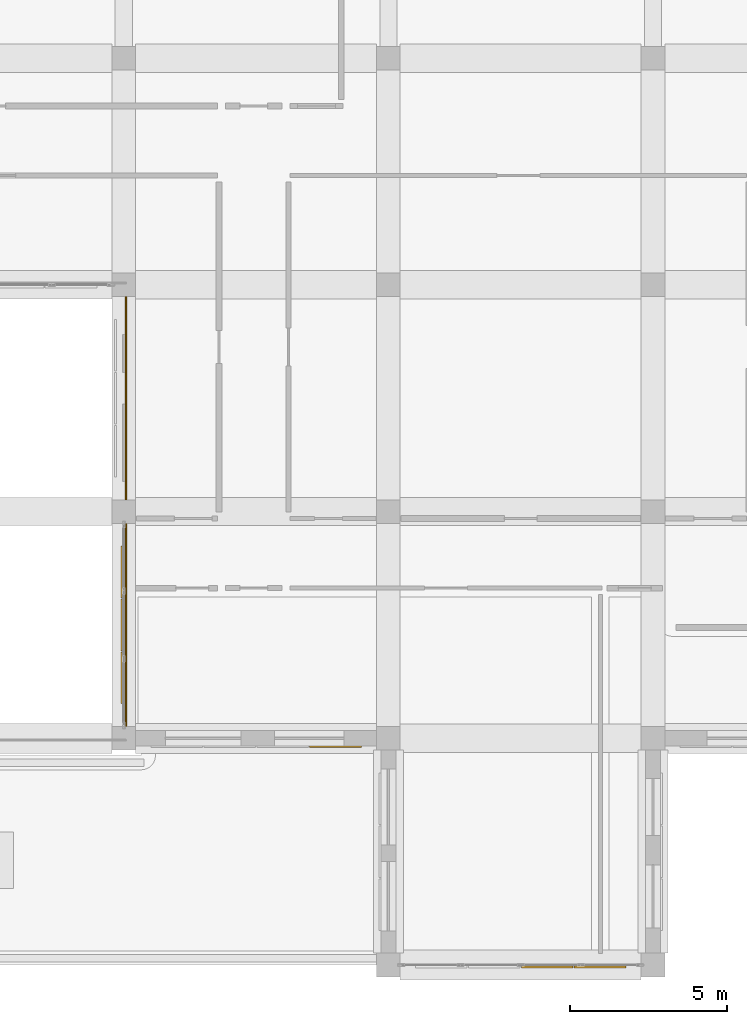
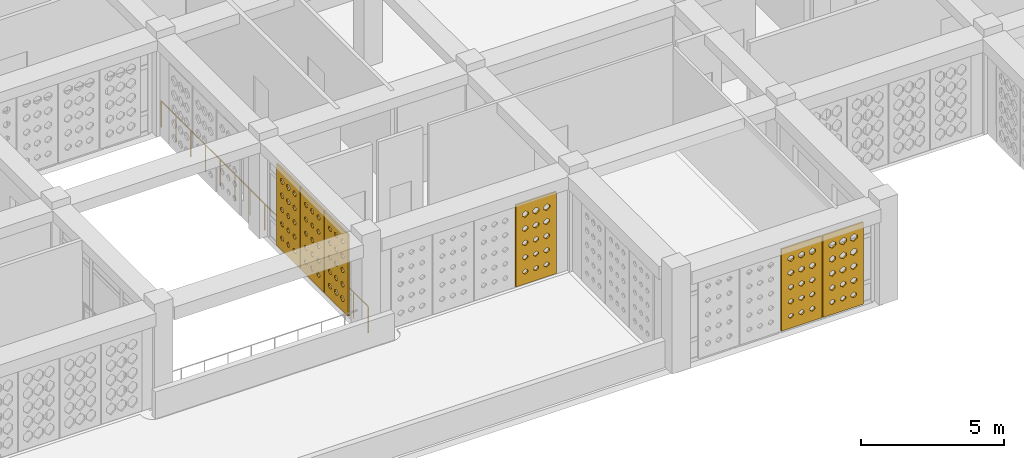
# One storey, part 83 of 111: 6 coverings, 1 railing.
"""IFC4 building model written with IfcOpenShell, lengths in metres."""

from ifc_helpers import new_model, si_unit, derived_unit, direction, frame, origin, origin_2d, place, context, subcontext, project, spatial, polyline, circle, outline, extrude, material, layer, layer_set, type_object, element, save


model = new_model("IFC4")

# Units and contexts
model_context = context("Model", 3, precision=1e-05, world=origin(), true_north=direction((0.0, 1.0)))
body_context = subcontext(model_context, "Body", "Model", "MODEL_VIEW")
ifc_project = project(units=[si_unit("LENGTHUNIT", "METRE"), si_unit("AREAUNIT", "SQUARE_METRE"), si_unit("VOLUMEUNIT", "CUBIC_METRE"), si_unit("PLANEANGLEUNIT", "RADIAN"), si_unit("MASSUNIT", "GRAM", prefix="KILO"), derived_unit("THERMALTRANSMITTANCEUNIT", [(si_unit("POWERUNIT", "WATT"), 1), (si_unit("LENGTHUNIT", "METRE"), -2), (si_unit("THERMODYNAMICTEMPERATUREUNIT", "KELVIN"), -1)])], contexts=[model_context])

# Site, building, storey
site_placement = place(None, origin())
site = spatial("IfcSite", under=ifc_project, at=site_placement, CompositionType="ELEMENT")
building_placement = place(site_placement, origin())
building = spatial("IfcBuilding", under=site, at=building_placement, Name="Veybourne Emporium", CompositionType="ELEMENT")
storey_placement = place(building_placement, frame((0.0, 0.0, 9.89990234375)))
storey = spatial("IfcBuildingStorey", under=building, at=storey_placement, Name="L02", CompositionType="ELEMENT", Elevation=9.89990234375)

# Railing
ifc_material_1 = material(Name="Patinated Architectural Bronze", Category="bronze")
railing_type = type_object("IfcRailingType", Name="Balustrade_BL-01", PredefinedType="BALUSTRADE", material=ifc_material_1)
railing_placement = place(storey_placement, frame((67.260009765625, 7.139892578125, 0.0)))
element("IfcRailing", 1, at=railing_placement, inside=storey, type_object=railing_type, Name="L02 shopping arcade gallery balustrade 2", PredefinedType="BALUSTRADE", context=body_context, shape_type="SweptSolid", body=[
    extrude(circle(Radius=0.02392578125, at=origin_2d()), frame((0.0, 0.0, 1.1259765625), z_axis=(0.0, 1.0, 0.0), x_axis=(-1.0, 0.0, 0.0)), (0.0, 0.0, 1.0), 14.52001953125),
    extrude(circle(Radius=0.02099609375, at=origin_2d()), origin(), (0.0, 0.0, 1.0), 1.101806640625),
    extrude(circle(Radius=0.02099609375, at=origin_2d()), frame((0.0, 1.037109375, 0.0)), (0.0, 0.0, 1.0), 1.101806640625),
    extrude(circle(Radius=0.02099609375, at=origin_2d()), frame((0.0, 2.07421875, 0.0)), (0.0, 0.0, 1.0), 1.101806640625),
    extrude(circle(Radius=0.02099609375, at=origin_2d()), frame((0.0, 3.111328125, 0.0)), (0.0, 0.0, 1.0), 1.101806640625),
    extrude(circle(Radius=0.02099609375, at=origin_2d()), frame((0.0, 4.148681640625, 0.0)), (0.0, 0.0, 1.0), 1.101806640625),
    extrude(circle(Radius=0.02099609375, at=origin_2d()), frame((0.0, 5.185791015625, 0.0)), (0.0, 0.0, 1.0), 1.101806640625),
    extrude(circle(Radius=0.02099609375, at=origin_2d()), frame((0.0, 6.222900390625, 0.0)), (0.0, 0.0, 1.0), 1.101806640625),
    extrude(circle(Radius=0.02099609375, at=origin_2d()), frame((0.0, 7.260009765625, 0.0)), (0.0, 0.0, 1.0), 1.101806640625),
    extrude(circle(Radius=0.02099609375, at=origin_2d()), frame((0.0, 8.297119140625, 0.0)), (0.0, 0.0, 1.0), 1.101806640625),
    extrude(circle(Radius=0.02099609375, at=origin_2d()), frame((0.0, 9.334228515625, 0.0)), (0.0, 0.0, 1.0), 1.101806640625),
    extrude(circle(Radius=0.02099609375, at=origin_2d()), frame((0.0, 10.371337890625, 0.0)), (0.0, 0.0, 1.0), 1.101806640625),
    extrude(circle(Radius=0.02099609375, at=origin_2d()), frame((0.0, 11.40869140625, 0.0)), (0.0, 0.0, 1.0), 1.101806640625),
    extrude(circle(Radius=0.02099609375, at=origin_2d()), frame((0.0, 12.44580078125, 0.0)), (0.0, 0.0, 1.0), 1.101806640625),
    extrude(circle(Radius=0.02099609375, at=origin_2d()), frame((0.0, 13.48291015625, 0.0)), (0.0, 0.0, 1.0), 1.101806640625),
    extrude(circle(Radius=0.02099609375, at=origin_2d()), frame((0.0, 14.52001953125, 0.0)), (0.0, 0.0, 1.0), 1.101806640625),
])

# Coverings
ifc_material_2 = material(Name="Warm-White Perforated Aluminium Screen Alloy", Category="aluminium")
ifc_layer_1 = layer(ifc_material_2, 0.06005859375)
ifc_layer_set_1 = layer_set([ifc_layer_1], Name="Warm-White Perforated Aluminium Screen Alloy")
covering_type_1 = type_object("IfcCoveringType", Name="WaveScreen_SCR-01", PredefinedType="CLADDING", material=ifc_layer_set_1)
covering_1_placement = place(storey_placement, frame((67.10693359375, 10.800048828125, 1.815185546875), z_axis=(1.0, 0.0, 0.0), x_axis=(0.0, 1.0, 0.0)))
element("IfcCovering", 2, at=covering_1_placement, inside=storey, type_object=covering_type_1, Name="L02 wave-perforated aluminium screen SCR-01 (36C.2)", PredefinedType="CLADDING", context=body_context, shape_type="SweptSolid", body=[
    extrude(outline(polyline([(-0.81982421875, -1.7548828125), (0.81982421875, -1.7548828125), (0.81982421875, 1.7548828125), (-0.81982421875, 1.7548828125), (-0.81982421875, -1.7548828125)]), holes=[polyline([(-0.433349609375, -1.11181640625), (-0.328125, -1.186279296875), (-0.328125, -1.269775390625), (-0.433349609375, -1.34423828125), (-0.538330078125, -1.269775390625), (-0.538330078125, -1.186279296875), (-0.433349609375, -1.11181640625)]), polyline([(-0.433349609375, -0.501953125), (-0.331787109375, -0.57373046875), (-0.331787109375, -0.654296875), (-0.433349609375, -0.72607421875), (-0.534912109375, -0.654296875), (-0.534912109375, -0.57373046875), (-0.433349609375, -0.501953125)]), polyline([(-0.433349609375, 0.110107421875), (-0.333251953125, 0.03955078125), (-0.333251953125, -0.03955078125), (-0.433349609375, -0.110107421875), (-0.533447265625, -0.03955078125), (-0.533447265625, 0.03955078125), (-0.433349609375, 0.110107421875)]), polyline([(-0.433349609375, 0.724609375), (-0.332763671875, 0.65380859375), (-0.332763671875, 0.57421875), (-0.433349609375, 0.50341796875), (-0.533935546875, 0.57421875), (-0.533935546875, 0.65380859375), (-0.433349609375, 0.724609375)]), polyline([(-0.433349609375, 1.341552734375), (-0.330322265625, 1.268798828125), (-0.330322265625, 1.18701171875), (-0.433349609375, 1.114501953125), (-0.536376953125, 1.18701171875), (-0.536376953125, 1.268798828125), (-0.433349609375, 1.341552734375)]), polyline([(0.0, -1.114013671875), (0.103271484375, -1.18701171875), (0.103271484375, -1.26904296875), (0.0, -1.342041015625), (-0.103271484375, -1.26904296875), (-0.103271484375, -1.18701171875), (0.0, -1.114013671875)]), polyline([(0.0, -0.503173828125), (0.1005859375, -0.57421875), (0.1005859375, -0.65380859375), (0.0, -0.724853515625), (-0.1005859375, -0.65380859375), (-0.1005859375, -0.57421875), (0.0, -0.503173828125)]), polyline([(0.0, 0.110107421875), (0.10009765625, 0.03955078125), (0.10009765625, -0.03955078125), (0.0, -0.110107421875), (-0.10009765625, -0.03955078125), (-0.10009765625, 0.03955078125), (0.0, 0.110107421875)]), polyline([(0.0, 0.7255859375), (0.101318359375, 0.654296875), (0.101318359375, 0.57373046875), (0.0, 0.502197265625), (-0.101318359375, 0.57373046875), (-0.101318359375, 0.654296875), (0.0, 0.7255859375)]), polyline([(0.0, 1.34375), (0.104736328125, 1.269775390625), (0.104736328125, 1.186279296875), (0.0, 1.1123046875), (-0.104736328125, 1.186279296875), (-0.104736328125, 1.269775390625), (0.0, 1.34375)]), polyline([(0.433349609375, -1.11572265625), (0.53515625, -1.1875), (0.53515625, -1.268310546875), (0.433349609375, -1.34033203125), (0.33154296875, -1.268310546875), (0.33154296875, -1.1875), (0.433349609375, -1.11572265625)]), polyline([(0.433349609375, -0.50390625), (0.533447265625, -0.57421875), (0.533447265625, -0.65380859375), (0.433349609375, -0.72412109375), (0.333251953125, -0.65380859375), (0.333251953125, -0.57421875), (0.433349609375, -0.50390625)]), polyline([(0.433349609375, 0.110595703125), (0.53369140625, 0.039794921875), (0.53369140625, -0.039794921875), (0.433349609375, -0.110595703125), (0.3330078125, -0.039794921875), (0.3330078125, 0.039794921875), (0.433349609375, 0.110595703125)]), polyline([(0.433349609375, 0.727294921875), (0.535888671875, 0.65478515625), (0.535888671875, 0.5732421875), (0.433349609375, 0.500732421875), (0.330810546875, 0.5732421875), (0.330810546875, 0.65478515625), (0.433349609375, 0.727294921875)]), polyline([(0.433349609375, 1.34619140625), (0.5400390625, 1.2705078125), (0.5400390625, 1.185302734375), (0.433349609375, 1.109619140625), (0.32666015625, 1.185302734375), (0.32666015625, 1.2705078125), (0.433349609375, 1.34619140625)])]), origin(), (0.0, 0.0, 1.0), 0.06005859375),
])
ifc_layer_2 = layer(ifc_material_2, 0.06005859375)
ifc_layer_set_2 = layer_set([ifc_layer_2], Name="Warm-White Perforated Aluminium Screen Alloy")
covering_type_2 = type_object("IfcCoveringType", Name="WaveScreen_SCR-02", PredefinedType="CLADDING", material=ifc_layer_set_2)
covering_2_placement = place(storey_placement, frame((67.10693359375, 12.47998046875, 1.815185546875), z_axis=(1.0, 0.0, 0.0), x_axis=(0.0, 1.0, 0.0)))
element("IfcCovering", 3, at=covering_2_placement, inside=storey, type_object=covering_type_2, Name="L02 wave-perforated aluminium screen SCR-02 (36C.3)", PredefinedType="CLADDING", context=body_context, shape_type="SweptSolid", body=[
    extrude(outline(polyline([(-0.81982421875, -1.7548828125), (0.81982421875, -1.7548828125), (0.81982421875, 1.7548828125), (-0.81982421875, 1.7548828125), (-0.81982421875, -1.7548828125)]), holes=[polyline([(-0.433349609375, -1.11767578125), (-0.3330078125, -1.188232421875), (-0.3330078125, -1.267578125), (-0.433349609375, -1.33837890625), (-0.53369140625, -1.267578125), (-0.53369140625, -1.188232421875), (-0.433349609375, -1.11767578125)]), polyline([(-0.433349609375, -0.503662109375), (-0.3330078125, -0.57421875), (-0.3330078125, -0.65380859375), (-0.433349609375, -0.724365234375), (-0.53369140625, -0.65380859375), (-0.53369140625, -0.57421875), (-0.433349609375, -0.503662109375)]), polyline([(-0.433349609375, 0.11279296875), (-0.331298828125, 0.04052734375), (-0.331298828125, -0.04052734375), (-0.433349609375, -0.11279296875), (-0.535400390625, -0.04052734375), (-0.535400390625, 0.04052734375), (-0.433349609375, 0.11279296875)]), polyline([(-0.433349609375, 0.7314453125), (-0.327392578125, 0.65625), (-0.327392578125, 0.57177734375), (-0.433349609375, 0.49658203125), (-0.539306640625, 0.57177734375), (-0.539306640625, 0.65625), (-0.433349609375, 0.7314453125)]), polyline([(-0.433349609375, 1.352294921875), (-0.321533203125, 1.272705078125), (-0.321533203125, 1.18310546875), (-0.433349609375, 1.103759765625), (-0.545166015625, 1.18310546875), (-0.545166015625, 1.272705078125), (-0.433349609375, 1.352294921875)]), polyline([(0.0, -1.117919921875), (0.10009765625, -1.1884765625), (0.10009765625, -1.267578125), (0.0, -1.337890625), (-0.10009765625, -1.267578125), (-0.10009765625, -1.1884765625), (0.0, -1.117919921875)]), polyline([(0.0, -0.5029296875), (0.100830078125, -0.573974609375), (0.100830078125, -0.654052734375), (0.0, -0.72509765625), (-0.100830078125, -0.654052734375), (-0.100830078125, -0.573974609375), (0.0, -0.5029296875)]), polyline([(0.0, 0.114501953125), (0.103759765625, 0.041259765625), (0.103759765625, -0.041259765625), (0.0, -0.114501953125), (-0.103759765625, -0.041259765625), (-0.103759765625, 0.041259765625), (0.0, 0.114501953125)]), polyline([(0.0, 0.734375), (0.1083984375, 0.6572265625), (0.1083984375, 0.57080078125), (0.0, 0.49365234375), (-0.1083984375, 0.57080078125), (-0.1083984375, 0.6572265625), (0.0, 0.734375)]), polyline([(0.0, 1.356201171875), (0.114990234375, 1.274169921875), (0.114990234375, 1.181884765625), (0.0, 1.099853515625), (-0.114990234375, 1.181884765625), (-0.114990234375, 1.274169921875), (0.0, 1.356201171875)]), polyline([(0.433349609375, -1.117919921875), (0.533447265625, -1.188232421875), (0.533447265625, -1.267578125), (0.433349609375, -1.338134765625), (0.333251953125, -1.267578125), (0.333251953125, -1.188232421875), (0.433349609375, -1.117919921875)]), polyline([(0.433349609375, -0.501708984375), (0.53515625, -0.573486328125), (0.53515625, -0.654296875), (0.433349609375, -0.726318359375), (0.331298828125, -0.654296875), (0.331298828125, -0.573486328125), (0.433349609375, -0.501708984375)]), polyline([(0.433349609375, 0.116943359375), (0.538818359375, 0.0419921875), (0.538818359375, -0.0419921875), (0.433349609375, -0.116943359375), (0.32763671875, -0.0419921875), (0.32763671875, 0.0419921875), (0.433349609375, 0.116943359375)]), polyline([(0.433349609375, 0.737548828125), (0.54443359375, 0.658447265625), (0.54443359375, 0.569580078125), (0.433349609375, 0.490478515625), (0.322265625, 0.569580078125), (0.322265625, 0.658447265625), (0.433349609375, 0.737548828125)]), polyline([(0.433349609375, 1.3603515625), (0.551513671875, 1.275634765625), (0.551513671875, 1.180419921875), (0.433349609375, 1.095703125), (0.31494140625, 1.180419921875), (0.31494140625, 1.275634765625), (0.433349609375, 1.3603515625)])]), origin(), (0.0, 0.0, 1.0), 0.06005859375),
])
ifc_layer_3 = layer(ifc_material_2, 0.06005859375)
ifc_layer_set_3 = layer_set([ifc_layer_3], Name="Warm-White Perforated Aluminium Screen Alloy")
covering_type_3 = type_object("IfcCoveringType", Name="WaveScreen_SCR-03", PredefinedType="CLADDING", material=ifc_layer_set_3)
covering_3_placement = place(storey_placement, frame((73.919921875, 6.90185546875, 1.815185546875), z_axis=(0.0, 1.0, 0.0), x_axis=(-1.0, 0.0, 0.0)))
element("IfcCovering", 4, at=covering_3_placement, inside=storey, type_object=covering_type_3, Name="L02 wave-perforated aluminium screen SCR-03 (35.1)", PredefinedType="CLADDING", context=body_context, shape_type="SweptSolid", body=[
    extrude(outline(polyline([(-0.81982421875, -1.7548828125), (0.81982421875, -1.7548828125), (0.81982421875, 1.7548828125), (-0.81982421875, 1.7548828125), (-0.81982421875, -1.7548828125)]), holes=[polyline([(-0.433349609375, -1.114501953125), (-0.33056640625, -1.187255859375), (-0.33056640625, -1.268798828125), (-0.433349609375, -1.34130859375), (-0.5361328125, -1.268798828125), (-0.5361328125, -1.187255859375), (-0.433349609375, -1.114501953125)]), polyline([(-0.433349609375, -0.495361328125), (-0.326416015625, -0.5712890625), (-0.326416015625, -0.65673828125), (-0.433349609375, -0.732666015625), (-0.540283203125, -0.65673828125), (-0.540283203125, -0.5712890625), (-0.433349609375, -0.495361328125)]), polyline([(-0.433349609375, 0.1259765625), (-0.3203125, 0.04541015625), (-0.3203125, -0.04541015625), (-0.433349609375, -0.1259765625), (-0.54638671875, -0.04541015625), (-0.54638671875, 0.04541015625), (-0.433349609375, 0.1259765625)]), polyline([(-0.433349609375, 0.749267578125), (-0.3125, 0.66259765625), (-0.3125, 0.565185546875), (-0.433349609375, 0.478759765625), (-0.553955078125, 0.565185546875), (-0.553955078125, 0.66259765625), (-0.433349609375, 0.749267578125)]), polyline([(-0.433349609375, 1.374267578125), (-0.3037109375, 1.28076171875), (-0.3037109375, 1.17529296875), (-0.433349609375, 1.081787109375), (-0.56298828125, 1.17529296875), (-0.56298828125, 1.28076171875), (-0.433349609375, 1.374267578125)]), polyline([(0.0, -1.1162109375), (0.1015625, -1.187744140625), (0.1015625, -1.268310546875), (0.0, -1.33984375), (-0.1015625, -1.268310546875), (-0.1015625, -1.187744140625), (0.0, -1.1162109375)]), polyline([(0.0, -0.498046875), (0.10498046875, -0.572265625), (0.10498046875, -0.65576171875), (0.0, -0.72998046875), (-0.10498046875, -0.65576171875), (-0.10498046875, -0.572265625), (0.0, -0.498046875)]), polyline([(0.0, 0.122314453125), (0.110107421875, 0.044189453125), (0.110107421875, -0.044189453125), (0.0, -0.122314453125), (-0.110107421875, -0.044189453125), (-0.110107421875, 0.044189453125), (0.0, 0.122314453125)]), polyline([(0.0, 0.744873046875), (0.1171875, 0.6611328125), (0.1171875, 0.56689453125), (0.0, 0.483154296875), (-0.1171875, 0.56689453125), (-0.1171875, 0.6611328125), (0.0, 0.744873046875)]), polyline([(0.0, 1.369140625), (0.12548828125, 1.27880859375), (0.12548828125, 1.17724609375), (0.0, 1.0869140625), (-0.12548828125, 1.17724609375), (-0.12548828125, 1.27880859375), (0.0, 1.369140625)]), polyline([(0.433349609375, -1.1171875), (0.533935546875, -1.18798828125), (0.533935546875, -1.267822265625), (0.433349609375, -1.338623046875), (0.332763671875, -1.267822265625), (0.332763671875, -1.18798828125), (0.433349609375, -1.1171875)]), polyline([(0.433349609375, -0.500244140625), (0.536376953125, -0.572998046875), (0.536376953125, -0.655029296875), (0.433349609375, -0.727783203125), (0.330078125, -0.655029296875), (0.330078125, -0.572998046875), (0.433349609375, -0.500244140625)]), polyline([(0.433349609375, 0.119140625), (0.541015625, 0.04296875), (0.541015625, -0.04296875), (0.433349609375, -0.119140625), (0.32568359375, -0.04296875), (0.32568359375, 0.04296875), (0.433349609375, 0.119140625)]), polyline([(0.433349609375, 0.74072265625), (0.547119140625, 0.65966796875), (0.547119140625, 0.568359375), (0.433349609375, 0.4873046875), (0.319580078125, 0.568359375), (0.319580078125, 0.65966796875), (0.433349609375, 0.74072265625)]), polyline([(0.433349609375, 1.3642578125), (0.5546875, 1.277099609375), (0.5546875, 1.178955078125), (0.433349609375, 1.091796875), (0.31201171875, 1.178955078125), (0.31201171875, 1.277099609375), (0.433349609375, 1.3642578125)])]), origin(), (0.0, 0.0, 1.0), 0.06005859375),
])
covering_4_placement = place(storey_placement, frame((82.320068359375, -0.093994140625, 1.815185546875), z_axis=(0.0, 1.0, 0.0), x_axis=(-1.0, 0.0, 0.0)))
element("IfcCovering", 5, at=covering_4_placement, inside=storey, type_object=covering_type_3, Name="L02 wave-perforated aluminium screen SCR-03 (39C.1)", PredefinedType="CLADDING", context=body_context, shape_type="SweptSolid", body=[
    extrude(outline(polyline([(-0.81982421875, -1.7548828125), (0.81982421875, -1.7548828125), (0.81982421875, 1.7548828125), (-0.81982421875, 1.7548828125), (-0.81982421875, -1.7548828125)]), holes=[polyline([(-0.433349609375, -1.106201171875), (-0.32373046875, -1.18408203125), (-0.32373046875, -1.27197265625), (-0.433349609375, -1.349853515625), (-0.54296875, -1.27197265625), (-0.54296875, -1.18408203125), (-0.433349609375, -1.106201171875)]), polyline([(-0.433349609375, -0.48388671875), (-0.31689453125, -0.567138671875), (-0.31689453125, -0.660888671875), (-0.433349609375, -0.744140625), (-0.5498046875, -0.660888671875), (-0.5498046875, -0.567138671875), (-0.433349609375, -0.48388671875)]), polyline([(-0.433349609375, 0.140380859375), (-0.30859375, 0.050537109375), (-0.30859375, -0.050537109375), (-0.433349609375, -0.140380859375), (-0.55810546875, -0.050537109375), (-0.55810546875, 0.050537109375), (-0.433349609375, 0.140380859375)]), polyline([(-0.433349609375, 0.76611328125), (-0.299072265625, 0.668701171875), (-0.299072265625, 0.559326171875), (-0.433349609375, 0.4619140625), (-0.567626953125, 0.559326171875), (-0.567626953125, 0.668701171875), (-0.433349609375, 0.76611328125)]), polyline([(-0.433349609375, 1.392822265625), (-0.288330078125, 1.287353515625), (-0.288330078125, 1.168701171875), (-0.433349609375, 1.06298828125), (-0.578125, 1.168701171875), (-0.578125, 1.287353515625), (-0.433349609375, 1.392822265625)]), polyline([(0.0, -1.109375), (0.107177734375, -1.185302734375), (0.107177734375, -1.270751953125), (0.0, -1.3466796875), (-0.107177734375, -1.270751953125), (-0.107177734375, -1.185302734375), (0.0, -1.109375)]), polyline([(0.0, -0.48779296875), (0.11328125, -0.568603515625), (0.11328125, -0.659423828125), (0.0, -0.739990234375), (-0.11328125, -0.659423828125), (-0.11328125, -0.568603515625), (0.0, -0.48779296875)]), polyline([(0.0, 0.135498046875), (0.120849609375, 0.048828125), (0.120849609375, -0.048828125), (0.0, -0.135498046875), (-0.120849609375, -0.048828125), (-0.120849609375, 0.048828125), (0.0, 0.135498046875)]), polyline([(0.0, 0.760498046875), (0.1298828125, 0.666748046875), (0.1298828125, 0.561279296875), (0.0, 0.467529296875), (-0.1298828125, 0.561279296875), (-0.1298828125, 0.666748046875), (0.0, 0.760498046875)]), polyline([(0.0, 1.386962890625), (0.139892578125, 1.28515625), (0.139892578125, 1.1708984375), (0.0, 1.069091796875), (-0.139892578125, 1.1708984375), (-0.139892578125, 1.28515625), (0.0, 1.386962890625)]), polyline([(0.433349609375, -1.11181640625), (0.538330078125, -1.186279296875), (0.538330078125, -1.269775390625), (0.433349609375, -1.343994140625), (0.328369140625, -1.269775390625), (0.328369140625, -1.186279296875), (0.433349609375, -1.11181640625)]), polyline([(0.433349609375, -0.491455078125), (0.543701171875, -0.56982421875), (0.543701171875, -0.658203125), (0.433349609375, -0.736572265625), (0.322998046875, -0.658203125), (0.322998046875, -0.56982421875), (0.433349609375, -0.491455078125)]), polyline([(0.433349609375, 0.131103515625), (0.550537109375, 0.047119140625), (0.550537109375, -0.047119140625), (0.433349609375, -0.131103515625), (0.316162109375, -0.047119140625), (0.316162109375, 0.047119140625), (0.433349609375, 0.131103515625)]), polyline([(0.433349609375, 0.75537109375), (0.55908203125, 0.664794921875), (0.55908203125, 0.56298828125), (0.433349609375, 0.47265625), (0.3076171875, 0.56298828125), (0.3076171875, 0.664794921875), (0.433349609375, 0.75537109375)]), polyline([(0.433349609375, 1.381103515625), (0.568603515625, 1.283203125), (0.568603515625, 1.1728515625), (0.433349609375, 1.074951171875), (0.298095703125, 1.1728515625), (0.298095703125, 1.283203125), (0.433349609375, 1.381103515625)])]), origin(), (0.0, 0.0, 1.0), 0.06005859375),
])
ifc_layer_4 = layer(ifc_material_2, 0.06005859375)
ifc_layer_set_4 = layer_set([ifc_layer_4], Name="Warm-White Perforated Aluminium Screen Alloy")
covering_type_4 = type_object("IfcCoveringType", Name="WaveScreen_SCR-04", PredefinedType="CLADDING", material=ifc_layer_set_4)
covering_5_placement = place(storey_placement, frame((67.10693359375, 9.1201171875, 1.815185546875), z_axis=(1.0, 0.0, 0.0), x_axis=(0.0, 1.0, 0.0)))
element("IfcCovering", 6, at=covering_5_placement, inside=storey, type_object=covering_type_4, Name="L02 wave-perforated aluminium screen SCR-04 (36C.1)", PredefinedType="CLADDING", context=body_context, shape_type="SweptSolid", body=[
    extrude(outline(polyline([(-0.81982421875, -1.7548828125), (0.81982421875, -1.7548828125), (0.81982421875, 1.7548828125), (-0.81982421875, 1.7548828125), (-0.81982421875, -1.7548828125)]), holes=[polyline([(-0.433349609375, -1.098876953125), (-0.317626953125, -1.181396484375), (-0.317626953125, -1.2744140625), (-0.433349609375, -1.357177734375), (-0.549072265625, -1.2744140625), (-0.549072265625, -1.181396484375), (-0.433349609375, -1.098876953125)]), polyline([(-0.433349609375, -0.492919921875), (-0.32421875, -0.5703125), (-0.32421875, -0.65771484375), (-0.433349609375, -0.735107421875), (-0.542236328125, -0.65771484375), (-0.542236328125, -0.5703125), (-0.433349609375, -0.492919921875)]), polyline([(-0.433349609375, 0.114990234375), (-0.3291015625, 0.04150390625), (-0.3291015625, -0.04150390625), (-0.433349609375, -0.114990234375), (-0.537353515625, -0.04150390625), (-0.537353515625, 0.04150390625), (-0.433349609375, 0.114990234375)]), polyline([(-0.433349609375, 0.725341796875), (-0.332275390625, 0.654052734375), (-0.332275390625, 0.573974609375), (-0.433349609375, 0.502685546875), (-0.534423828125, 0.573974609375), (-0.534423828125, 0.654052734375), (-0.433349609375, 0.725341796875)]), polyline([(-0.433349609375, 1.337890625), (-0.333251953125, 1.267578125), (-0.333251953125, 1.1884765625), (-0.433349609375, 1.117919921875), (-0.533203125, 1.1884765625), (-0.533203125, 1.267578125), (-0.433349609375, 1.337890625)]), polyline([(0.0, -1.102783203125), (0.1123046875, -1.182861328125), (0.1123046875, -1.273193359375), (0.0, -1.353271484375), (-0.1123046875, -1.273193359375), (-0.1123046875, -1.182861328125), (0.0, -1.102783203125)]), polyline([(0.0, -0.49609375), (0.106689453125, -0.571533203125), (0.106689453125, -0.656494140625), (0.0, -0.73193359375), (-0.106689453125, -0.656494140625), (-0.106689453125, -0.571533203125), (0.0, -0.49609375)]), polyline([(0.0, 0.113037109375), (0.1025390625, 0.040771484375), (0.1025390625, -0.040771484375), (0.0, -0.113037109375), (-0.1025390625, -0.040771484375), (-0.1025390625, 0.040771484375), (0.0, 0.113037109375)]), polyline([(0.0, 0.724365234375), (0.100341796875, 0.65380859375), (0.100341796875, 0.57421875), (0.0, 0.503662109375), (-0.100341796875, 0.57421875), (-0.100341796875, 0.65380859375), (0.0, 0.724365234375)]), polyline([(0.0, 1.338134765625), (0.10009765625, 1.267578125), (0.10009765625, 1.188232421875), (0.0, 1.117919921875), (-0.10009765625, 1.188232421875), (-0.10009765625, 1.267578125), (0.0, 1.338134765625)]), polyline([(0.433349609375, -1.106201171875), (0.54296875, -1.18408203125), (0.54296875, -1.271728515625), (0.433349609375, -1.349609375), (0.32373046875, -1.271728515625), (0.32373046875, -1.18408203125), (0.433349609375, -1.106201171875)]), polyline([(0.433349609375, -0.49853515625), (0.537841796875, -0.572509765625), (0.537841796875, -0.655517578125), (0.433349609375, -0.7294921875), (0.328857421875, -0.655517578125), (0.328857421875, -0.572509765625), (0.433349609375, -0.49853515625)]), polyline([(0.433349609375, 0.111572265625), (0.53466796875, 0.040283203125), (0.53466796875, -0.040283203125), (0.433349609375, -0.111572265625), (0.33203125, -0.040283203125), (0.33203125, 0.040283203125), (0.433349609375, 0.111572265625)]), polyline([(0.433349609375, 0.72412109375), (0.533447265625, 0.653564453125), (0.533447265625, 0.574462890625), (0.433349609375, 0.50390625), (0.333251953125, 0.574462890625), (0.333251953125, 0.653564453125), (0.433349609375, 0.72412109375)]), polyline([(0.433349609375, 1.3388671875), (0.5341796875, 1.267822265625), (0.5341796875, 1.18798828125), (0.433349609375, 1.1171875), (0.33251953125, 1.18798828125), (0.33251953125, 1.267822265625), (0.433349609375, 1.3388671875)])]), origin(), (0.0, 0.0, 1.0), 0.06005859375),
])
covering_6_placement = place(storey_placement, frame((80.639892578125, -0.093994140625, 1.815185546875), z_axis=(0.0, 1.0, 0.0), x_axis=(-1.0, 0.0, 0.0)))
element("IfcCovering", 7, at=covering_6_placement, inside=storey, type_object=covering_type_4, Name="L02 wave-perforated aluminium screen SCR-04 (39C.2)", PredefinedType="CLADDING", context=body_context, shape_type="SweptSolid", body=[
    extrude(outline(polyline([(-0.81982421875, -1.7548828125), (0.81982421875, -1.7548828125), (0.81982421875, 1.7548828125), (-0.81982421875, 1.7548828125), (-0.81982421875, -1.7548828125)]), holes=[polyline([(-0.433349609375, -1.115478515625), (-0.331298828125, -1.1875), (-0.331298828125, -1.268310546875), (-0.433349609375, -1.34033203125), (-0.535400390625, -1.268310546875), (-0.535400390625, -1.1875), (-0.433349609375, -1.115478515625)]), polyline([(-0.433349609375, -0.4970703125), (-0.32763671875, -0.572021484375), (-0.32763671875, -0.656005859375), (-0.433349609375, -0.73095703125), (-0.5390625, -0.656005859375), (-0.5390625, -0.572021484375), (-0.433349609375, -0.4970703125)]), polyline([(-0.433349609375, 0.12353515625), (-0.322265625, 0.04443359375), (-0.322265625, -0.04443359375), (-0.433349609375, -0.12353515625), (-0.54443359375, -0.04443359375), (-0.54443359375, 0.04443359375), (-0.433349609375, 0.12353515625)]), polyline([(-0.433349609375, 0.746337890625), (-0.31494140625, 0.66162109375), (-0.31494140625, 0.56640625), (-0.433349609375, 0.481689453125), (-0.5517578125, 0.56640625), (-0.5517578125, 0.66162109375), (-0.433349609375, 0.746337890625)]), polyline([(-0.433349609375, 1.37109375), (-0.306396484375, 1.279541015625), (-0.306396484375, 1.176513671875), (-0.433349609375, 1.0849609375), (-0.560302734375, 1.176513671875), (-0.560302734375, 1.279541015625), (-0.433349609375, 1.37109375)]), polyline([(0.0, -1.116943359375), (0.100830078125, -1.18798828125), (0.100830078125, -1.26806640625), (0.0, -1.339111328125), (-0.100830078125, -1.26806640625), (-0.100830078125, -1.18798828125), (0.0, -1.116943359375)]), polyline([(0.0, -0.49951171875), (0.103759765625, -0.57275390625), (0.103759765625, -0.6552734375), (0.0, -0.728515625), (-0.103759765625, -0.6552734375), (-0.103759765625, -0.57275390625), (0.0, -0.49951171875)]), polyline([(0.0, 0.120361328125), (0.1083984375, 0.043212890625), (0.1083984375, -0.043212890625), (0.0, -0.120361328125), (-0.1083984375, -0.043212890625), (-0.1083984375, 0.043212890625), (0.0, 0.120361328125)]), polyline([(0.0, 0.7421875), (0.114990234375, 0.66015625), (0.114990234375, 0.56787109375), (0.0, 0.48583984375), (-0.114990234375, 0.56787109375), (-0.114990234375, 0.66015625), (0.0, 0.7421875)]), polyline([(0.0, 1.365966796875), (0.122802734375, 1.277587890625), (0.122802734375, 1.17822265625), (0.0, 1.090087890625), (-0.122802734375, 1.17822265625), (-0.122802734375, 1.277587890625), (0.0, 1.365966796875)]), polyline([(0.433349609375, -1.11767578125), (0.53369140625, -1.188232421875), (0.53369140625, -1.267578125), (0.433349609375, -1.33837890625), (0.3330078125, -1.267578125), (0.3330078125, -1.188232421875), (0.433349609375, -1.11767578125)]), polyline([(0.433349609375, -0.501220703125), (0.535400390625, -0.573486328125), (0.535400390625, -0.654541015625), (0.433349609375, -0.726806640625), (0.3310546875, -0.654541015625), (0.3310546875, -0.573486328125), (0.433349609375, -0.501220703125)]), polyline([(0.433349609375, 0.117431640625), (0.539306640625, 0.042236328125), (0.539306640625, -0.042236328125), (0.433349609375, -0.117431640625), (0.327392578125, -0.042236328125), (0.327392578125, 0.042236328125), (0.433349609375, 0.117431640625)]), polyline([(0.433349609375, 0.73828125), (0.545166015625, 0.65869140625), (0.545166015625, 0.569091796875), (0.433349609375, 0.489501953125), (0.321533203125, 0.569091796875), (0.321533203125, 0.65869140625), (0.433349609375, 0.73828125)]), polyline([(0.433349609375, 1.361328125), (0.552490234375, 1.27587890625), (0.552490234375, 1.179931640625), (0.433349609375, 1.0947265625), (0.314208984375, 1.179931640625), (0.314208984375, 1.27587890625), (0.433349609375, 1.361328125)])]), origin(), (0.0, 0.0, 1.0), 0.06005859375),
])

save(model, "model.ifc")
